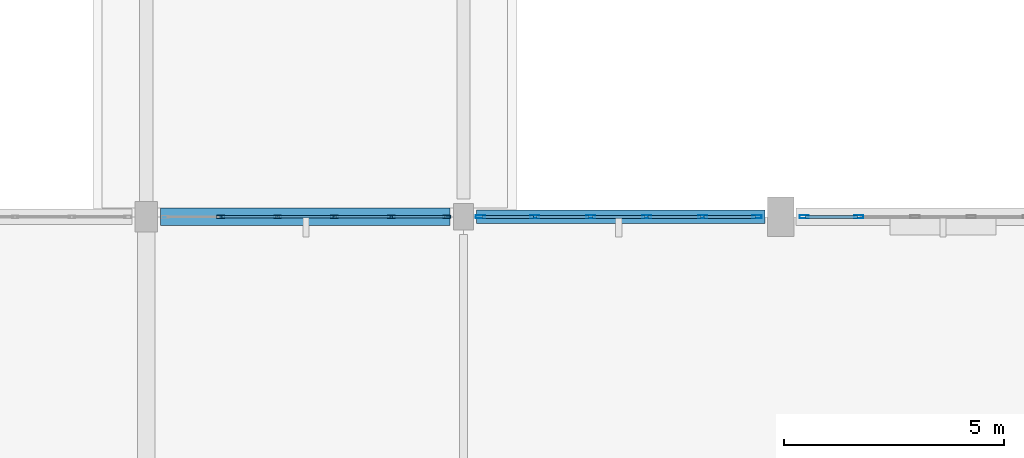
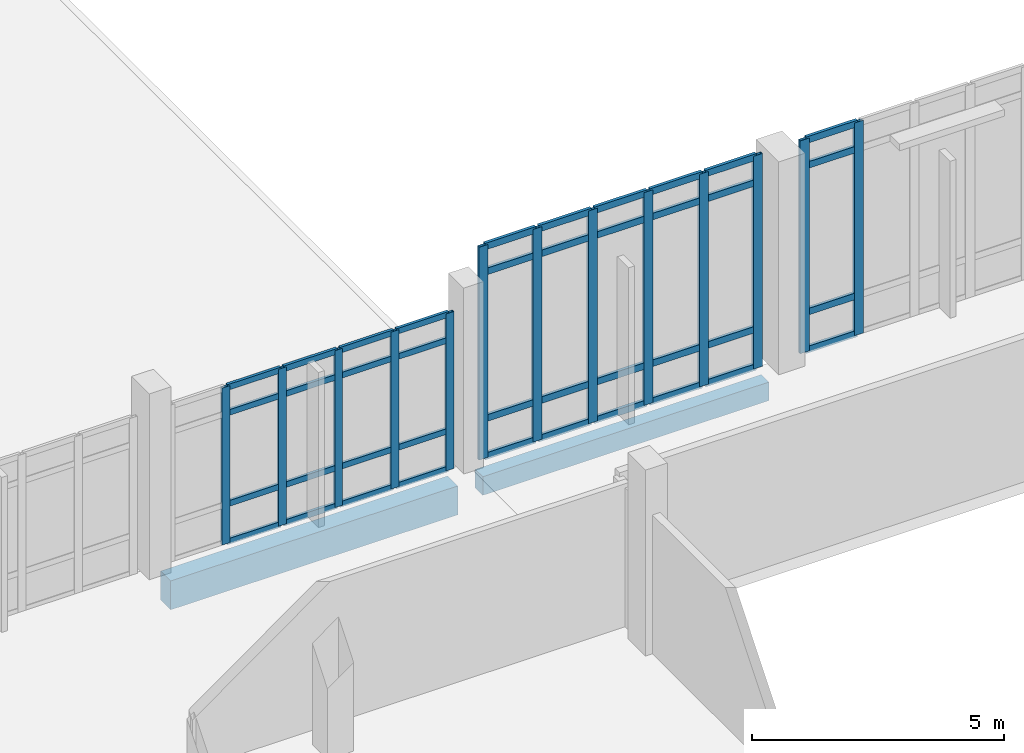
# One storey, part 41 of 134: 53 members, 2 beams, 3 elements without a shape of their own.
"""IFC4 building model written with IfcOpenShell, lengths in metres."""

from ifc_helpers import new_model, si_unit, direction, frame, origin, origin_2d, place, context, subcontext, project, spatial, rectangle, hollow_rectangle, extrude, material, material_profile, profile_set, type_object, element, aggregate, save


model = new_model("IFC4")

# Units and contexts
model_context = context("Model", 3, precision=1e-05, world=origin(), true_north=direction((0.0, 1.0)))
body_context = subcontext(model_context, "Body", "Model", "MODEL_VIEW")
ifc_project = project(units=[si_unit("LENGTHUNIT", "METRE"), si_unit("AREAUNIT", "SQUARE_METRE"), si_unit("VOLUMEUNIT", "CUBIC_METRE"), si_unit("PLANEANGLEUNIT", "RADIAN"), si_unit("MASSUNIT", "GRAM", prefix="KILO")], contexts=[model_context])

# Site, building, storey
site_placement = place(None, origin())
site = spatial("IfcSite", under=ifc_project, at=site_placement, CompositionType="ELEMENT")
building_placement = place(site_placement, origin())
building = spatial("IfcBuilding", under=site, at=building_placement, Name="Kalluvel Institute of Natural Sciences", CompositionType="ELEMENT")
storey_placement = place(building_placement, frame((0.0, 0.0, 5.39990234375)))
storey = spatial("IfcBuildingStorey", under=building, at=storey_placement, Name="L01", CompositionType="ELEMENT", Elevation=5.39990234375)

# Curtain wall, members
ifc_material_1 = material(Name="Aluminium AW-6063 T6", Category="aluminium")
curtain_wall_type = type_object("IfcCurtainWallType", Name="CW-SPAV-45", PredefinedType="USERDEFINED", material=ifc_material_1)
curtain_wall_1_placement = place(storey_placement, origin())
curtain_wall_1 = element("IfcCurtainWall", 1, at=curtain_wall_1_placement, inside=storey, type_object=curtain_wall_type, Name="L01 Gothic lancet curtain wall CWA-L01-X1080-Y356", ObjectType="UNITISED LANCET FACADE", PredefinedType="USERDEFINED")
ifc_material_profile_1 = material_profile(ifc_material_1, hollow_rectangle(XDim=0.06494140625, YDim=0.179931640625, WallThickness=0.00439453125, at=origin_2d()), Name="CWM 65x180")
ifc_profile_set_1 = profile_set([ifc_material_profile_1], Name="Aluminium AW-6063 T6")
member_type_1 = type_object("IfcMemberType", Name="CWM-65x180", PredefinedType="MULLION", material=ifc_profile_set_1)
member_1_placement = place(storey_placement, frame((109.2900390625, 35.60009765625, 0.0), z_axis=(0.0, 0.0, 1.0), x_axis=(0.0, 1.0, 0.0)))
member_1 = element("IfcMember", 2, at=member_1_placement, type_object=member_type_1, Name="CW-10 mullion 2", PredefinedType="MULLION", context=body_context, shape_type="SweptSolid", body=[
    extrude(hollow_rectangle(XDim=0.06494140625, YDim=0.179931640625, WallThickness=0.00439453125, at=origin_2d()), origin(), (0.0, 0.0, 1.0), 3.800048828125),
])
member_2_placement = place(storey_placement, frame((110.580078125, 35.60009765625, 0.0), z_axis=(0.0, 0.0, 1.0), x_axis=(0.0, 1.0, 0.0)))
member_2 = element("IfcMember", 3, at=member_2_placement, type_object=member_type_1, Name="CW-10 mullion 3", PredefinedType="MULLION", context=body_context, shape_type="SweptSolid", body=[
    extrude(hollow_rectangle(XDim=0.06494140625, YDim=0.179931640625, WallThickness=0.00439453125, at=origin_2d()), origin(), (0.0, 0.0, 1.0), 3.800048828125),
])
member_3_placement = place(storey_placement, frame((111.8701171875, 35.60009765625, 0.0), z_axis=(0.0, 0.0, 1.0), x_axis=(0.0, 1.0, 0.0)))
member_3 = element("IfcMember", 4, at=member_3_placement, type_object=member_type_1, Name="CW-10 mullion 4", PredefinedType="MULLION", context=body_context, shape_type="SweptSolid", body=[
    extrude(hollow_rectangle(XDim=0.06494140625, YDim=0.179931640625, WallThickness=0.00439453125, at=origin_2d()), origin(), (0.0, 0.0, 1.0), 3.800048828125),
])
member_4_placement = place(storey_placement, frame((113.159912109375, 35.60009765625, 0.0), z_axis=(0.0, 0.0, 1.0), x_axis=(0.0, 1.0, 0.0)))
member_4 = element("IfcMember", 5, at=member_4_placement, type_object=member_type_1, Name="CW-10 mullion 5", PredefinedType="MULLION", context=body_context, shape_type="SweptSolid", body=[
    extrude(hollow_rectangle(XDim=0.06494140625, YDim=0.179931640625, WallThickness=0.00439453125, at=origin_2d()), origin(), (0.0, 0.0, 1.0), 3.800048828125),
])
member_5_placement = place(storey_placement, frame((114.41748046875, 35.60009765625, 0.0), z_axis=(0.0, 0.0, 1.0), x_axis=(0.0, 1.0, 0.0)))
member_5 = element("IfcMember", 6, at=member_5_placement, type_object=member_type_1, Name="CW-10 mullion 6", PredefinedType="MULLION", context=body_context, shape_type="SweptSolid", body=[
    extrude(hollow_rectangle(XDim=0.06494140625, YDim=0.179931640625, WallThickness=0.00439453125, at=origin_2d()), origin(), (0.0, 0.0, 1.0), 3.800048828125),
])

curtain_wall_2_placement = place(storey_placement, origin())
curtain_wall_2 = element("IfcCurtainWall", 7, at=curtain_wall_2_placement, inside=storey, type_object=curtain_wall_type, Name="L01 Gothic lancet curtain wall CWA-L01-X1152-Y356", ObjectType="UNITISED LANCET FACADE", PredefinedType="USERDEFINED")
ifc_material_profile_2 = material_profile(ifc_material_1, hollow_rectangle(XDim=0.070068359375, YDim=0.2099609375, WallThickness=0.0048828125, at=origin_2d()), Name="CWM 70x210")
ifc_profile_set_2 = profile_set([ifc_material_profile_2], Name="Aluminium AW-6063 T6")
member_type_2 = type_object("IfcMemberType", Name="CWM-70x210", PredefinedType="MULLION", material=ifc_profile_set_2)
member_6_placement = place(storey_placement, frame((115.18505859375, 35.60009765625, 0.0), z_axis=(0.0, 0.0, 1.0), x_axis=(0.0, 1.0, 0.0)))
member_6 = element("IfcMember", 8, at=member_6_placement, type_object=member_type_2, Name="CW-10 mullion 1", PredefinedType="MULLION", context=body_context, shape_type="SweptSolid", body=[
    extrude(hollow_rectangle(XDim=0.070068359375, YDim=0.2099609375, WallThickness=0.0048828125, at=origin_2d()), origin(), (0.0, 0.0, 1.0), 5.150146484375),
])
member_7_placement = place(storey_placement, frame((116.419921875, 35.60009765625, 0.0), z_axis=(0.0, 0.0, 1.0), x_axis=(0.0, 1.0, 0.0)))
member_7 = element("IfcMember", 9, at=member_7_placement, type_object=member_type_2, Name="CW-10 mullion 2", PredefinedType="MULLION", context=body_context, shape_type="SweptSolid", body=[
    extrude(hollow_rectangle(XDim=0.070068359375, YDim=0.2099609375, WallThickness=0.0048828125, at=origin_2d()), origin(), (0.0, 0.0, 1.0), 5.150146484375),
])
member_8_placement = place(storey_placement, frame((117.68994140625, 35.60009765625, 0.0), z_axis=(0.0, 0.0, 1.0), x_axis=(0.0, 1.0, 0.0)))
member_8 = element("IfcMember", 10, at=member_8_placement, type_object=member_type_2, Name="CW-10 mullion 3", PredefinedType="MULLION", context=body_context, shape_type="SweptSolid", body=[
    extrude(hollow_rectangle(XDim=0.070068359375, YDim=0.2099609375, WallThickness=0.0048828125, at=origin_2d()), origin(), (0.0, 0.0, 1.0), 5.150146484375),
])
member_9_placement = place(storey_placement, frame((118.9599609375, 35.60009765625, 0.0), z_axis=(0.0, 0.0, 1.0), x_axis=(0.0, 1.0, 0.0)))
member_9 = element("IfcMember", 11, at=member_9_placement, type_object=member_type_2, Name="CW-10 mullion 4", PredefinedType="MULLION", context=body_context, shape_type="SweptSolid", body=[
    extrude(hollow_rectangle(XDim=0.070068359375, YDim=0.2099609375, WallThickness=0.0048828125, at=origin_2d()), origin(), (0.0, 0.0, 1.0), 5.150146484375),
])
member_10_placement = place(storey_placement, frame((120.22998046875, 35.60009765625, 0.0), z_axis=(0.0, 0.0, 1.0), x_axis=(0.0, 1.0, 0.0)))
member_10 = element("IfcMember", 12, at=member_10_placement, type_object=member_type_2, Name="CW-10 mullion 5", PredefinedType="MULLION", context=body_context, shape_type="SweptSolid", body=[
    extrude(hollow_rectangle(XDim=0.070068359375, YDim=0.2099609375, WallThickness=0.0048828125, at=origin_2d()), origin(), (0.0, 0.0, 1.0), 5.150146484375),
])
member_11_placement = place(storey_placement, frame((121.465087890625, 35.60009765625, 0.0), z_axis=(0.0, 0.0, 1.0), x_axis=(0.0, 1.0, 0.0)))
member_11 = element("IfcMember", 13, at=member_11_placement, type_object=member_type_2, Name="CW-10 mullion 6", PredefinedType="MULLION", context=body_context, shape_type="SweptSolid", body=[
    extrude(hollow_rectangle(XDim=0.070068359375, YDim=0.2099609375, WallThickness=0.0048828125, at=origin_2d()), origin(), (0.0, 0.0, 1.0), 5.150146484375),
])

curtain_wall_3_placement = place(storey_placement, origin())
curtain_wall_3 = element("IfcCurtainWall", 14, at=curtain_wall_3_placement, inside=storey, type_object=curtain_wall_type, Name="L01 Gothic lancet curtain wall CWA-L01-X1225-Y356", ObjectType="UNITISED LANCET FACADE", PredefinedType="USERDEFINED")
member_12_placement = place(storey_placement, frame((122.534912109375, 35.60009765625, 0.0), z_axis=(0.0, 0.0, 1.0), x_axis=(0.0, 1.0, 0.0)))
member_12 = element("IfcMember", 15, at=member_12_placement, type_object=member_type_2, Name="CW-10 mullion 1", PredefinedType="MULLION", context=body_context, shape_type="SweptSolid", body=[
    extrude(hollow_rectangle(XDim=0.070068359375, YDim=0.2099609375, WallThickness=0.0048828125, at=origin_2d()), origin(), (0.0, 0.0, 1.0), 5.150146484375),
])
member_13_placement = place(storey_placement, frame((123.77490234375, 35.60009765625, 0.0), z_axis=(0.0, 0.0, 1.0), x_axis=(0.0, 1.0, 0.0)))
member_13 = element("IfcMember", 16, at=member_13_placement, type_object=member_type_2, Name="CW-10 mullion 2", PredefinedType="MULLION", context=body_context, shape_type="SweptSolid", body=[
    extrude(hollow_rectangle(XDim=0.070068359375, YDim=0.2099609375, WallThickness=0.0048828125, at=origin_2d()), origin(), (0.0, 0.0, 1.0), 5.150146484375),
])

# Member
ifc_material_profile_3 = material_profile(ifc_material_1, hollow_rectangle(XDim=0.06494140625, YDim=0.139892578125, WallThickness=0.00439453125, at=origin_2d()), Name="CWT 65x140")
ifc_profile_set_3 = profile_set([ifc_material_profile_3], Name="Aluminium AW-6063 T6")
member_type_3 = type_object("IfcMemberType", Name="CWT-65x140", PredefinedType="USERDEFINED", material=ifc_profile_set_3)
member_14_placement = place(storey_placement, frame((109.322509765625, 35.60009765625, 0.03271484375), z_axis=(1.0, 0.0, 0.0), x_axis=(0.0, 1.0, 0.0)))
member_14 = element("IfcMember", 17, at=member_14_placement, type_object=member_type_3, Name="CW-10 transom 2.1", ObjectType="TRANSOM", PredefinedType="USERDEFINED", context=body_context, shape_type="SweptSolid", body=[
    extrude(hollow_rectangle(XDim=0.06494140625, YDim=0.139892578125, WallThickness=0.00439453125, at=origin_2d()), origin(), (0.0, 0.0, 1.0), 1.22509765625),
])

member_15_placement = place(storey_placement, frame((109.322509765625, 35.60009765625, 0.9501953125), z_axis=(1.0, 0.0, 0.0), x_axis=(0.0, 1.0, 0.0)))
member_15 = element("IfcMember", 18, at=member_15_placement, type_object=member_type_3, Name="CW-10 transom 2.2", ObjectType="TRANSOM", PredefinedType="USERDEFINED", context=body_context, shape_type="SweptSolid", body=[
    extrude(hollow_rectangle(XDim=0.06494140625, YDim=0.139892578125, WallThickness=0.00439453125, at=origin_2d()), origin(), (0.0, 0.0, 1.0), 1.22509765625),
])

member_16_placement = place(storey_placement, frame((109.322509765625, 35.60009765625, 3.150146484375), z_axis=(1.0, 0.0, 0.0), x_axis=(0.0, 1.0, 0.0)))
member_16 = element("IfcMember", 19, at=member_16_placement, type_object=member_type_3, Name="CW-10 transom 2.3", ObjectType="TRANSOM", PredefinedType="USERDEFINED", context=body_context, shape_type="SweptSolid", body=[
    extrude(hollow_rectangle(XDim=0.06494140625, YDim=0.139892578125, WallThickness=0.00439453125, at=origin_2d()), origin(), (0.0, 0.0, 1.0), 1.22509765625),
])

member_17_placement = place(storey_placement, frame((109.322509765625, 35.60009765625, 3.767578125), z_axis=(1.0, 0.0, 0.0), x_axis=(0.0, 1.0, 0.0)))
member_17 = element("IfcMember", 20, at=member_17_placement, type_object=member_type_3, Name="CW-10 transom 2.4", ObjectType="TRANSOM", PredefinedType="USERDEFINED", context=body_context, shape_type="SweptSolid", body=[
    extrude(hollow_rectangle(XDim=0.06494140625, YDim=0.139892578125, WallThickness=0.00439453125, at=origin_2d()), origin(), (0.0, 0.0, 1.0), 1.22509765625),
])

member_18_placement = place(storey_placement, frame((110.612548828125, 35.60009765625, 0.03271484375), z_axis=(1.0, 0.0, 0.0), x_axis=(0.0, 1.0, 0.0)))
member_18 = element("IfcMember", 21, at=member_18_placement, type_object=member_type_3, Name="CW-10 transom 3.1", ObjectType="TRANSOM", PredefinedType="USERDEFINED", context=body_context, shape_type="SweptSolid", body=[
    extrude(hollow_rectangle(XDim=0.06494140625, YDim=0.139892578125, WallThickness=0.00439453125, at=origin_2d()), origin(), (0.0, 0.0, 1.0), 1.224853515625),
])

member_19_placement = place(storey_placement, frame((110.612548828125, 35.60009765625, 0.9501953125), z_axis=(1.0, 0.0, 0.0), x_axis=(0.0, 1.0, 0.0)))
member_19 = element("IfcMember", 22, at=member_19_placement, type_object=member_type_3, Name="CW-10 transom 3.2", ObjectType="TRANSOM", PredefinedType="USERDEFINED", context=body_context, shape_type="SweptSolid", body=[
    extrude(hollow_rectangle(XDim=0.06494140625, YDim=0.139892578125, WallThickness=0.00439453125, at=origin_2d()), origin(), (0.0, 0.0, 1.0), 1.224853515625),
])

member_20_placement = place(storey_placement, frame((110.612548828125, 35.60009765625, 3.150146484375), z_axis=(1.0, 0.0, 0.0), x_axis=(0.0, 1.0, 0.0)))
member_20 = element("IfcMember", 23, at=member_20_placement, type_object=member_type_3, Name="CW-10 transom 3.3", ObjectType="TRANSOM", PredefinedType="USERDEFINED", context=body_context, shape_type="SweptSolid", body=[
    extrude(hollow_rectangle(XDim=0.06494140625, YDim=0.139892578125, WallThickness=0.00439453125, at=origin_2d()), origin(), (0.0, 0.0, 1.0), 1.224853515625),
])

member_21_placement = place(storey_placement, frame((110.612548828125, 35.60009765625, 3.767578125), z_axis=(1.0, 0.0, 0.0), x_axis=(0.0, 1.0, 0.0)))
member_21 = element("IfcMember", 24, at=member_21_placement, type_object=member_type_3, Name="CW-10 transom 3.4", ObjectType="TRANSOM", PredefinedType="USERDEFINED", context=body_context, shape_type="SweptSolid", body=[
    extrude(hollow_rectangle(XDim=0.06494140625, YDim=0.139892578125, WallThickness=0.00439453125, at=origin_2d()), origin(), (0.0, 0.0, 1.0), 1.224853515625),
])

member_22_placement = place(storey_placement, frame((111.902587890625, 35.60009765625, 0.03271484375), z_axis=(1.0, 0.0, 0.0), x_axis=(0.0, 1.0, 0.0)))
member_22 = element("IfcMember", 25, at=member_22_placement, type_object=member_type_3, Name="CW-10 transom 4.1", ObjectType="TRANSOM", PredefinedType="USERDEFINED", context=body_context, shape_type="SweptSolid", body=[
    extrude(hollow_rectangle(XDim=0.06494140625, YDim=0.139892578125, WallThickness=0.00439453125, at=origin_2d()), origin(), (0.0, 0.0, 1.0), 1.224853515625),
])

member_23_placement = place(storey_placement, frame((111.902587890625, 35.60009765625, 0.9501953125), z_axis=(1.0, 0.0, 0.0), x_axis=(0.0, 1.0, 0.0)))
member_23 = element("IfcMember", 26, at=member_23_placement, type_object=member_type_3, Name="CW-10 transom 4.2", ObjectType="TRANSOM", PredefinedType="USERDEFINED", context=body_context, shape_type="SweptSolid", body=[
    extrude(hollow_rectangle(XDim=0.06494140625, YDim=0.139892578125, WallThickness=0.00439453125, at=origin_2d()), origin(), (0.0, 0.0, 1.0), 1.224853515625),
])

member_24_placement = place(storey_placement, frame((111.902587890625, 35.60009765625, 3.150146484375), z_axis=(1.0, 0.0, 0.0), x_axis=(0.0, 1.0, 0.0)))
member_24 = element("IfcMember", 27, at=member_24_placement, type_object=member_type_3, Name="CW-10 transom 4.3", ObjectType="TRANSOM", PredefinedType="USERDEFINED", context=body_context, shape_type="SweptSolid", body=[
    extrude(hollow_rectangle(XDim=0.06494140625, YDim=0.139892578125, WallThickness=0.00439453125, at=origin_2d()), origin(), (0.0, 0.0, 1.0), 1.224853515625),
])

member_25_placement = place(storey_placement, frame((111.902587890625, 35.60009765625, 3.767578125), z_axis=(1.0, 0.0, 0.0), x_axis=(0.0, 1.0, 0.0)))
member_25 = element("IfcMember", 28, at=member_25_placement, type_object=member_type_3, Name="CW-10 transom 4.4", ObjectType="TRANSOM", PredefinedType="USERDEFINED", context=body_context, shape_type="SweptSolid", body=[
    extrude(hollow_rectangle(XDim=0.06494140625, YDim=0.139892578125, WallThickness=0.00439453125, at=origin_2d()), origin(), (0.0, 0.0, 1.0), 1.224853515625),
])

member_26_placement = place(storey_placement, frame((113.1923828125, 35.60009765625, 0.03271484375), z_axis=(1.0, 0.0, 0.0), x_axis=(0.0, 1.0, 0.0)))
member_26 = element("IfcMember", 29, at=member_26_placement, type_object=member_type_3, Name="CW-10 transom 5.1", ObjectType="TRANSOM", PredefinedType="USERDEFINED", context=body_context, shape_type="SweptSolid", body=[
    extrude(hollow_rectangle(XDim=0.06494140625, YDim=0.139892578125, WallThickness=0.00439453125, at=origin_2d()), origin(), (0.0, 0.0, 1.0), 1.192626953125),
])

member_27_placement = place(storey_placement, frame((113.1923828125, 35.60009765625, 0.9501953125), z_axis=(1.0, 0.0, 0.0), x_axis=(0.0, 1.0, 0.0)))
member_27 = element("IfcMember", 30, at=member_27_placement, type_object=member_type_3, Name="CW-10 transom 5.2", ObjectType="TRANSOM", PredefinedType="USERDEFINED", context=body_context, shape_type="SweptSolid", body=[
    extrude(hollow_rectangle(XDim=0.06494140625, YDim=0.139892578125, WallThickness=0.00439453125, at=origin_2d()), origin(), (0.0, 0.0, 1.0), 1.192626953125),
])

member_28_placement = place(storey_placement, frame((113.1923828125, 35.60009765625, 3.150146484375), z_axis=(1.0, 0.0, 0.0), x_axis=(0.0, 1.0, 0.0)))
member_28 = element("IfcMember", 31, at=member_28_placement, type_object=member_type_3, Name="CW-10 transom 5.3", ObjectType="TRANSOM", PredefinedType="USERDEFINED", context=body_context, shape_type="SweptSolid", body=[
    extrude(hollow_rectangle(XDim=0.06494140625, YDim=0.139892578125, WallThickness=0.00439453125, at=origin_2d()), origin(), (0.0, 0.0, 1.0), 1.192626953125),
])

member_29_placement = place(storey_placement, frame((113.1923828125, 35.60009765625, 3.767578125), z_axis=(1.0, 0.0, 0.0), x_axis=(0.0, 1.0, 0.0)))
member_29 = element("IfcMember", 32, at=member_29_placement, type_object=member_type_3, Name="CW-10 transom 5.4", ObjectType="TRANSOM", PredefinedType="USERDEFINED", context=body_context, shape_type="SweptSolid", body=[
    extrude(hollow_rectangle(XDim=0.06494140625, YDim=0.139892578125, WallThickness=0.00439453125, at=origin_2d()), origin(), (0.0, 0.0, 1.0), 1.192626953125),
])

aggregate(curtain_wall_1, [member_1, member_2, member_3, member_4, member_5, member_14, member_15, member_16, member_17, member_18, member_19, member_20, member_21, member_22, member_23, member_24, member_25, member_26, member_27, member_28, member_29])

ifc_material_profile_4 = material_profile(ifc_material_1, hollow_rectangle(XDim=0.070068359375, YDim=0.159912109375, WallThickness=0.0048828125, at=origin_2d()), Name="CWT 70x160")
ifc_profile_set_4 = profile_set([ifc_material_profile_4], Name="Aluminium AW-6063 T6")
member_type_4 = type_object("IfcMemberType", Name="CWT-70x160", PredefinedType="USERDEFINED", material=ifc_profile_set_4)
member_30_placement = place(storey_placement, frame((115.219970703125, 35.60009765625, 0.03515625), z_axis=(1.0, 0.0, 0.0), x_axis=(0.0, 1.0, 0.0)))
member_30 = element("IfcMember", 33, at=member_30_placement, type_object=member_type_4, Name="CW-10 transom 1.1", ObjectType="TRANSOM", PredefinedType="USERDEFINED", context=body_context, shape_type="SweptSolid", body=[
    extrude(hollow_rectangle(XDim=0.070068359375, YDim=0.159912109375, WallThickness=0.0048828125, at=origin_2d()), origin(), (0.0, 0.0, 1.0), 1.1650390625),
])

member_31_placement = place(storey_placement, frame((115.219970703125, 35.60009765625, 0.9501953125), z_axis=(1.0, 0.0, 0.0), x_axis=(0.0, 1.0, 0.0)))
member_31 = element("IfcMember", 34, at=member_31_placement, type_object=member_type_4, Name="CW-10 transom 1.2", ObjectType="TRANSOM", PredefinedType="USERDEFINED", context=body_context, shape_type="SweptSolid", body=[
    extrude(hollow_rectangle(XDim=0.070068359375, YDim=0.159912109375, WallThickness=0.0048828125, at=origin_2d()), origin(), (0.0, 0.0, 1.0), 1.1650390625),
])

member_32_placement = place(storey_placement, frame((115.219970703125, 35.60009765625, 4.5), z_axis=(1.0, 0.0, 0.0), x_axis=(0.0, 1.0, 0.0)))
member_32 = element("IfcMember", 35, at=member_32_placement, type_object=member_type_4, Name="CW-10 transom 1.3", ObjectType="TRANSOM", PredefinedType="USERDEFINED", context=body_context, shape_type="SweptSolid", body=[
    extrude(hollow_rectangle(XDim=0.070068359375, YDim=0.159912109375, WallThickness=0.0048828125, at=origin_2d()), origin(), (0.0, 0.0, 1.0), 1.1650390625),
])

member_33_placement = place(storey_placement, frame((115.219970703125, 35.60009765625, 5.114990234375), z_axis=(1.0, 0.0, 0.0), x_axis=(0.0, 1.0, 0.0)))
member_33 = element("IfcMember", 36, at=member_33_placement, type_object=member_type_4, Name="CW-10 transom 1.4", ObjectType="TRANSOM", PredefinedType="USERDEFINED", context=body_context, shape_type="SweptSolid", body=[
    extrude(hollow_rectangle(XDim=0.070068359375, YDim=0.159912109375, WallThickness=0.0048828125, at=origin_2d()), origin(), (0.0, 0.0, 1.0), 1.1650390625),
])

member_34_placement = place(storey_placement, frame((116.455078125, 35.60009765625, 0.03515625), z_axis=(1.0, 0.0, 0.0), x_axis=(0.0, 1.0, 0.0)))
member_34 = element("IfcMember", 37, at=member_34_placement, type_object=member_type_4, Name="CW-10 transom 2.1", ObjectType="TRANSOM", PredefinedType="USERDEFINED", context=body_context, shape_type="SweptSolid", body=[
    extrude(hollow_rectangle(XDim=0.070068359375, YDim=0.159912109375, WallThickness=0.0048828125, at=origin_2d()), origin(), (0.0, 0.0, 1.0), 1.199951171875),
])

member_35_placement = place(storey_placement, frame((116.455078125, 35.60009765625, 0.9501953125), z_axis=(1.0, 0.0, 0.0), x_axis=(0.0, 1.0, 0.0)))
member_35 = element("IfcMember", 38, at=member_35_placement, type_object=member_type_4, Name="CW-10 transom 2.2", ObjectType="TRANSOM", PredefinedType="USERDEFINED", context=body_context, shape_type="SweptSolid", body=[
    extrude(hollow_rectangle(XDim=0.070068359375, YDim=0.159912109375, WallThickness=0.0048828125, at=origin_2d()), origin(), (0.0, 0.0, 1.0), 1.199951171875),
])

member_36_placement = place(storey_placement, frame((116.455078125, 35.60009765625, 4.5), z_axis=(1.0, 0.0, 0.0), x_axis=(0.0, 1.0, 0.0)))
member_36 = element("IfcMember", 39, at=member_36_placement, type_object=member_type_4, Name="CW-10 transom 2.3", ObjectType="TRANSOM", PredefinedType="USERDEFINED", context=body_context, shape_type="SweptSolid", body=[
    extrude(hollow_rectangle(XDim=0.070068359375, YDim=0.159912109375, WallThickness=0.0048828125, at=origin_2d()), origin(), (0.0, 0.0, 1.0), 1.199951171875),
])

member_37_placement = place(storey_placement, frame((116.455078125, 35.60009765625, 5.114990234375), z_axis=(1.0, 0.0, 0.0), x_axis=(0.0, 1.0, 0.0)))
member_37 = element("IfcMember", 40, at=member_37_placement, type_object=member_type_4, Name="CW-10 transom 2.4", ObjectType="TRANSOM", PredefinedType="USERDEFINED", context=body_context, shape_type="SweptSolid", body=[
    extrude(hollow_rectangle(XDim=0.070068359375, YDim=0.159912109375, WallThickness=0.0048828125, at=origin_2d()), origin(), (0.0, 0.0, 1.0), 1.199951171875),
])

member_38_placement = place(storey_placement, frame((117.72509765625, 35.60009765625, 0.03515625), z_axis=(1.0, 0.0, 0.0), x_axis=(0.0, 1.0, 0.0)))
member_38 = element("IfcMember", 41, at=member_38_placement, type_object=member_type_4, Name="CW-10 transom 3.1", ObjectType="TRANSOM", PredefinedType="USERDEFINED", context=body_context, shape_type="SweptSolid", body=[
    extrude(hollow_rectangle(XDim=0.070068359375, YDim=0.159912109375, WallThickness=0.0048828125, at=origin_2d()), origin(), (0.0, 0.0, 1.0), 1.199951171875),
])

member_39_placement = place(storey_placement, frame((117.72509765625, 35.60009765625, 0.9501953125), z_axis=(1.0, 0.0, 0.0), x_axis=(0.0, 1.0, 0.0)))
member_39 = element("IfcMember", 42, at=member_39_placement, type_object=member_type_4, Name="CW-10 transom 3.2", ObjectType="TRANSOM", PredefinedType="USERDEFINED", context=body_context, shape_type="SweptSolid", body=[
    extrude(hollow_rectangle(XDim=0.070068359375, YDim=0.159912109375, WallThickness=0.0048828125, at=origin_2d()), origin(), (0.0, 0.0, 1.0), 1.199951171875),
])

member_40_placement = place(storey_placement, frame((117.72509765625, 35.60009765625, 4.5), z_axis=(1.0, 0.0, 0.0), x_axis=(0.0, 1.0, 0.0)))
member_40 = element("IfcMember", 43, at=member_40_placement, type_object=member_type_4, Name="CW-10 transom 3.3", ObjectType="TRANSOM", PredefinedType="USERDEFINED", context=body_context, shape_type="SweptSolid", body=[
    extrude(hollow_rectangle(XDim=0.070068359375, YDim=0.159912109375, WallThickness=0.0048828125, at=origin_2d()), origin(), (0.0, 0.0, 1.0), 1.199951171875),
])

member_41_placement = place(storey_placement, frame((117.72509765625, 35.60009765625, 5.114990234375), z_axis=(1.0, 0.0, 0.0), x_axis=(0.0, 1.0, 0.0)))
member_41 = element("IfcMember", 44, at=member_41_placement, type_object=member_type_4, Name="CW-10 transom 3.4", ObjectType="TRANSOM", PredefinedType="USERDEFINED", context=body_context, shape_type="SweptSolid", body=[
    extrude(hollow_rectangle(XDim=0.070068359375, YDim=0.159912109375, WallThickness=0.0048828125, at=origin_2d()), origin(), (0.0, 0.0, 1.0), 1.199951171875),
])

member_42_placement = place(storey_placement, frame((118.9951171875, 35.60009765625, 0.03515625), z_axis=(1.0, 0.0, 0.0), x_axis=(0.0, 1.0, 0.0)))
member_42 = element("IfcMember", 45, at=member_42_placement, type_object=member_type_4, Name="CW-10 transom 4.1", ObjectType="TRANSOM", PredefinedType="USERDEFINED", context=body_context, shape_type="SweptSolid", body=[
    extrude(hollow_rectangle(XDim=0.070068359375, YDim=0.159912109375, WallThickness=0.0048828125, at=origin_2d()), origin(), (0.0, 0.0, 1.0), 1.199951171875),
])

member_43_placement = place(storey_placement, frame((118.9951171875, 35.60009765625, 0.9501953125), z_axis=(1.0, 0.0, 0.0), x_axis=(0.0, 1.0, 0.0)))
member_43 = element("IfcMember", 46, at=member_43_placement, type_object=member_type_4, Name="CW-10 transom 4.2", ObjectType="TRANSOM", PredefinedType="USERDEFINED", context=body_context, shape_type="SweptSolid", body=[
    extrude(hollow_rectangle(XDim=0.070068359375, YDim=0.159912109375, WallThickness=0.0048828125, at=origin_2d()), origin(), (0.0, 0.0, 1.0), 1.199951171875),
])

member_44_placement = place(storey_placement, frame((118.9951171875, 35.60009765625, 4.5), z_axis=(1.0, 0.0, 0.0), x_axis=(0.0, 1.0, 0.0)))
member_44 = element("IfcMember", 47, at=member_44_placement, type_object=member_type_4, Name="CW-10 transom 4.3", ObjectType="TRANSOM", PredefinedType="USERDEFINED", context=body_context, shape_type="SweptSolid", body=[
    extrude(hollow_rectangle(XDim=0.070068359375, YDim=0.159912109375, WallThickness=0.0048828125, at=origin_2d()), origin(), (0.0, 0.0, 1.0), 1.199951171875),
])

member_45_placement = place(storey_placement, frame((118.9951171875, 35.60009765625, 5.114990234375), z_axis=(1.0, 0.0, 0.0), x_axis=(0.0, 1.0, 0.0)))
member_45 = element("IfcMember", 48, at=member_45_placement, type_object=member_type_4, Name="CW-10 transom 4.4", ObjectType="TRANSOM", PredefinedType="USERDEFINED", context=body_context, shape_type="SweptSolid", body=[
    extrude(hollow_rectangle(XDim=0.070068359375, YDim=0.159912109375, WallThickness=0.0048828125, at=origin_2d()), origin(), (0.0, 0.0, 1.0), 1.199951171875),
])

member_46_placement = place(storey_placement, frame((120.264892578125, 35.60009765625, 0.03515625), z_axis=(1.0, 0.0, 0.0), x_axis=(0.0, 1.0, 0.0)))
member_46 = element("IfcMember", 49, at=member_46_placement, type_object=member_type_4, Name="CW-10 transom 5.1", ObjectType="TRANSOM", PredefinedType="USERDEFINED", context=body_context, shape_type="SweptSolid", body=[
    extrude(hollow_rectangle(XDim=0.070068359375, YDim=0.159912109375, WallThickness=0.0048828125, at=origin_2d()), origin(), (0.0, 0.0, 1.0), 1.1650390625),
])

member_47_placement = place(storey_placement, frame((120.264892578125, 35.60009765625, 0.9501953125), z_axis=(1.0, 0.0, 0.0), x_axis=(0.0, 1.0, 0.0)))
member_47 = element("IfcMember", 50, at=member_47_placement, type_object=member_type_4, Name="CW-10 transom 5.2", ObjectType="TRANSOM", PredefinedType="USERDEFINED", context=body_context, shape_type="SweptSolid", body=[
    extrude(hollow_rectangle(XDim=0.070068359375, YDim=0.159912109375, WallThickness=0.0048828125, at=origin_2d()), origin(), (0.0, 0.0, 1.0), 1.1650390625),
])

member_48_placement = place(storey_placement, frame((120.264892578125, 35.60009765625, 4.5), z_axis=(1.0, 0.0, 0.0), x_axis=(0.0, 1.0, 0.0)))
member_48 = element("IfcMember", 51, at=member_48_placement, type_object=member_type_4, Name="CW-10 transom 5.3", ObjectType="TRANSOM", PredefinedType="USERDEFINED", context=body_context, shape_type="SweptSolid", body=[
    extrude(hollow_rectangle(XDim=0.070068359375, YDim=0.159912109375, WallThickness=0.0048828125, at=origin_2d()), origin(), (0.0, 0.0, 1.0), 1.1650390625),
])

member_49_placement = place(storey_placement, frame((120.264892578125, 35.60009765625, 5.114990234375), z_axis=(1.0, 0.0, 0.0), x_axis=(0.0, 1.0, 0.0)))
member_49 = element("IfcMember", 52, at=member_49_placement, type_object=member_type_4, Name="CW-10 transom 5.4", ObjectType="TRANSOM", PredefinedType="USERDEFINED", context=body_context, shape_type="SweptSolid", body=[
    extrude(hollow_rectangle(XDim=0.070068359375, YDim=0.159912109375, WallThickness=0.0048828125, at=origin_2d()), origin(), (0.0, 0.0, 1.0), 1.1650390625),
])

aggregate(curtain_wall_2, [member_6, member_7, member_8, member_9, member_10, member_11, member_30, member_31, member_32, member_33, member_34, member_35, member_36, member_37, member_38, member_39, member_40, member_41, member_42, member_43, member_44, member_45, member_46, member_47, member_48, member_49])

member_50_placement = place(storey_placement, frame((122.570068359375, 35.60009765625, 0.03515625), z_axis=(1.0, 0.0, 0.0), x_axis=(0.0, 1.0, 0.0)))
member_50 = element("IfcMember", 53, at=member_50_placement, type_object=member_type_4, Name="CW-10 transom 1.1", ObjectType="TRANSOM", PredefinedType="USERDEFINED", context=body_context, shape_type="SweptSolid", body=[
    extrude(hollow_rectangle(XDim=0.070068359375, YDim=0.159912109375, WallThickness=0.0048828125, at=origin_2d()), origin(), (0.0, 0.0, 1.0), 1.169921875),
])

member_51_placement = place(storey_placement, frame((122.570068359375, 35.60009765625, 0.9501953125), z_axis=(1.0, 0.0, 0.0), x_axis=(0.0, 1.0, 0.0)))
member_51 = element("IfcMember", 54, at=member_51_placement, type_object=member_type_4, Name="CW-10 transom 1.2", ObjectType="TRANSOM", PredefinedType="USERDEFINED", context=body_context, shape_type="SweptSolid", body=[
    extrude(hollow_rectangle(XDim=0.070068359375, YDim=0.159912109375, WallThickness=0.0048828125, at=origin_2d()), origin(), (0.0, 0.0, 1.0), 1.169921875),
])

member_52_placement = place(storey_placement, frame((122.570068359375, 35.60009765625, 4.5), z_axis=(1.0, 0.0, 0.0), x_axis=(0.0, 1.0, 0.0)))
member_52 = element("IfcMember", 55, at=member_52_placement, type_object=member_type_4, Name="CW-10 transom 1.3", ObjectType="TRANSOM", PredefinedType="USERDEFINED", context=body_context, shape_type="SweptSolid", body=[
    extrude(hollow_rectangle(XDim=0.070068359375, YDim=0.159912109375, WallThickness=0.0048828125, at=origin_2d()), origin(), (0.0, 0.0, 1.0), 1.169921875),
])

member_53_placement = place(storey_placement, frame((122.570068359375, 35.60009765625, 5.114990234375), z_axis=(1.0, 0.0, 0.0), x_axis=(0.0, 1.0, 0.0)))
member_53 = element("IfcMember", 56, at=member_53_placement, type_object=member_type_4, Name="CW-10 transom 1.4", ObjectType="TRANSOM", PredefinedType="USERDEFINED", context=body_context, shape_type="SweptSolid", body=[
    extrude(hollow_rectangle(XDim=0.070068359375, YDim=0.159912109375, WallThickness=0.0048828125, at=origin_2d()), origin(), (0.0, 0.0, 1.0), 1.169921875),
])

aggregate(curtain_wall_3, [member_12, member_13, member_50, member_51, member_52, member_53])

# Beams
ifc_material_2 = material(Name="Concrete M40", Category="concrete")
ifc_material_profile_5 = material_profile(ifc_material_2, rectangle(XDim=0.300048828125, YDim=0.449951171875, at=origin_2d()), Name="RCB 300x450")
ifc_profile_set_5 = profile_set([ifc_material_profile_5], Name="Concrete M40")
beam_type_1 = type_object("IfcBeamType", Name="SP-RC300x450", PredefinedType="SPANDREL", material=ifc_profile_set_5)
beam_1_placement = place(storey_placement, frame((115.10009765625, 35.60009765625, -0.56494140625), z_axis=(1.0, 0.0, 0.0), x_axis=(0.0, 1.0, 0.0)))
element("IfcBeam", 57, at=beam_1_placement, inside=storey, type_object=beam_type_1, Name="L01 girder GIR-L01-EW-X1148-Y356", PredefinedType="SPANDREL", context=body_context, shape_type="SweptSolid", body=[
    extrude(rectangle(XDim=0.300048828125, YDim=0.449951171875, at=origin_2d()), origin(), (0.0, 0.0, 1.0), 6.5498046875),
])
ifc_material_profile_6 = material_profile(ifc_material_2, rectangle(XDim=0.39990234375, YDim=0.699951171875, at=origin_2d()), Name="RCB 400x700")
ifc_profile_set_6 = profile_set([ifc_material_profile_6], Name="Concrete M40")
beam_type_2 = type_object("IfcBeamType", Name="SP-RC400x700", PredefinedType="SPANDREL", material=ifc_profile_set_6)
beam_2_placement = place(storey_placement, frame((107.925048828125, 35.60009765625, -0.669921875), z_axis=(1.0, 0.0, 0.0), x_axis=(0.0, 1.0, 0.0)))
element("IfcBeam", 58, at=beam_2_placement, inside=storey, type_object=beam_type_2, Name="L01 girder GIR-L01-EW-X1076-Y356", PredefinedType="SPANDREL", context=body_context, shape_type="SweptSolid", body=[
    extrude(rectangle(XDim=0.39990234375, YDim=0.699951171875, at=origin_2d()), origin(), (0.0, 0.0, 1.0), 6.574951171875),
])

save(model, "model.ifc")
